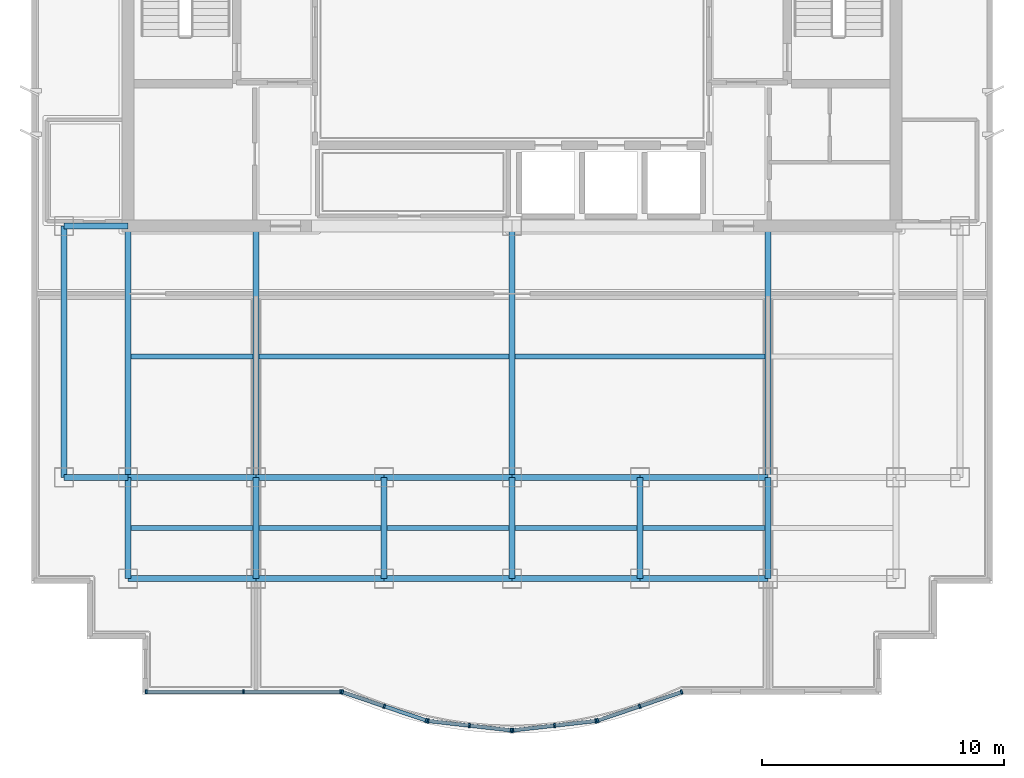
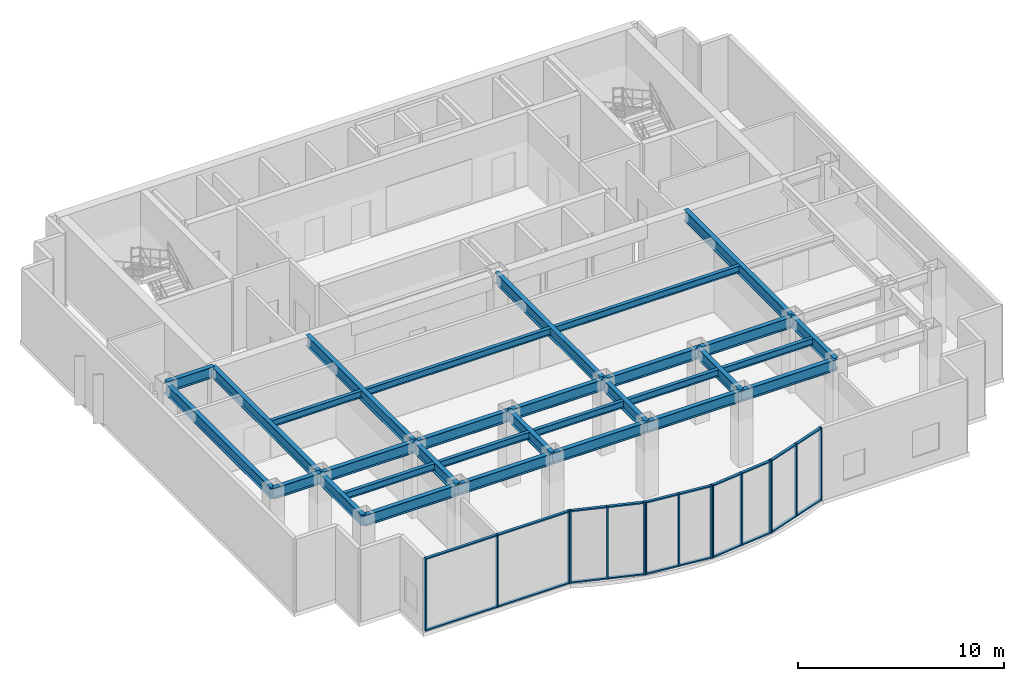
# One storey, part 2 of 8: 35 members, 31 beams, 5 elements without a shape of their own.
"""IFC4 building model written with IfcOpenShell, lengths in metres."""

from ifc_helpers import new_model, si_unit, direction, frame, origin, origin_2d, place, context, subcontext, project, spatial, rectangle, i_section, extrude, source, transform, mapped, material, layer, layer_set, material_profile, profile_set, type_object, element, aggregate, save


model = new_model("IFC4")

# Units and contexts
model_context = context("Model", 3, precision=1e-05, world=origin(), true_north=direction((0.0, 1.0)))
body_context = subcontext(model_context, "Body", "Model", "MODEL_VIEW")
ifc_project = project(units=[si_unit("LENGTHUNIT", "METRE"), si_unit("AREAUNIT", "SQUARE_METRE"), si_unit("VOLUMEUNIT", "CUBIC_METRE"), si_unit("PLANEANGLEUNIT", "RADIAN"), si_unit("MASSUNIT", "GRAM", prefix="KILO")], contexts=[model_context])

# Site, building, storey
site_placement = place(None, origin())
site = spatial("IfcSite", under=ifc_project, at=site_placement, CompositionType="ELEMENT")
building_placement = place(site_placement, origin())
building = spatial("IfcBuilding", under=site, at=building_placement, Name="Qianlan Lanfeng Residences", CompositionType="ELEMENT")
storey_placement = place(building_placement, frame((0.0, 0.0, 192.199951171875)))
storey = spatial("IfcBuildingStorey", under=building, at=storey_placement, Name="L52", CompositionType="ELEMENT", Elevation=192.199951171875)

# Beams
ifc_material_1 = material(Name="Steel SN490B", Category="steel")
ifc_material_profile_1 = material_profile(ifc_material_1, i_section(OverallWidth=0.25, OverallDepth=0.64990234375, WebThickness=0.012939453125, FlangeThickness=0.02197265625, at=origin_2d()), Name="H 650x250x13x22")
ifc_profile_set_1 = profile_set([ifc_material_profile_1], Name="Steel SN490B")
beam_type_1 = type_object("IfcBeamType", Name="G-650", PredefinedType="BEAM", material=ifc_profile_set_1)
beam_1_placement = place(storey_placement, frame((10.60009765625, 10.60009765625, 3.985107421875), z_axis=(1.0, 0.0, 0.0), x_axis=(0.0, 1.0, 0.0)))
element("IfcBeam", 1, at=beam_1_placement, inside=storey, type_object=beam_type_1, Name="Structural beam G-650", PredefinedType="BEAM", context=body_context, shape_type="SweptSolid", body=[
    extrude(i_section(OverallWidth=0.25, OverallDepth=0.64990234375, WebThickness=0.012939453125, FlangeThickness=0.02197265625, at=origin_2d()), origin(), (0.0, 0.0, 1.0), 5.2998046875),
])
for number, where, z_axis, x_axis, name in (
    (2, (15.89990234375, 10.60009765625, 3.985107421875), (1.0, 0.0, 0.0), (0.0, 1.0, 0.0), "Structural beam G-650"),
    (3, (21.199951171875, 10.60009765625, 3.985107421875), (1.0, 0.0, 0.0), (0.0, 1.0, 0.0), "Structural beam G-650"),
    (4, (26.5, 10.60009765625, 3.985107421875), (1.0, 0.0, 0.0), (0.0, 1.0, 0.0), "Structural beam G-650"),
    (5, (31.800048828125, 10.60009765625, 3.985107421875), (1.0, 0.0, 0.0), (0.0, 1.0, 0.0), "Structural beam G-650"),
):
    element("IfcBeam", number, at=place(storey_placement, frame(where, z_axis=z_axis, x_axis=x_axis)), inside=storey, type_object=beam_type_1, Name=name, PredefinedType="BEAM", context=body_context, shape_type="SweptSolid", body=[
        extrude(i_section(OverallWidth=0.25, OverallDepth=0.64990234375, WebThickness=0.012939453125, FlangeThickness=0.02197265625, at=origin_2d()), origin(), (0.0, 0.0, 1.0), 5.300048828125),
    ])
beam_2_placement = place(storey_placement, frame((7.949951171875, 14.800048828125, 3.985107421875), z_axis=(1.0, 0.0, 0.0), x_axis=(0.0, 1.0, 0.0)))
element("IfcBeam", 6, at=beam_2_placement, inside=storey, type_object=beam_type_1, Name="Structural beam G-650", PredefinedType="BEAM", context=body_context, shape_type="SweptSolid", body=[
    extrude(i_section(OverallWidth=0.25, OverallDepth=0.64990234375, WebThickness=0.012939453125, FlangeThickness=0.02197265625, at=origin_2d()), origin(), (0.0, 0.0, 1.0), 2.650146484375),
])
beam_3_placement = place(storey_placement, frame((10.60009765625, 14.800048828125, 3.985107421875), z_axis=(1.0, 0.0, 0.0), x_axis=(0.0, 1.0, 0.0)))
element("IfcBeam", 7, at=beam_3_placement, inside=storey, type_object=beam_type_1, Name="Structural beam G-650", PredefinedType="BEAM", context=body_context, shape_type="SweptSolid", body=[
    extrude(i_section(OverallWidth=0.25, OverallDepth=0.64990234375, WebThickness=0.012939453125, FlangeThickness=0.02197265625, at=origin_2d()), origin(), (0.0, 0.0, 1.0), 5.2998046875),
])
for number, where, z_axis, x_axis, name in (
    (8, (15.89990234375, 14.800048828125, 3.985107421875), (1.0, 0.0, 0.0), (0.0, 1.0, 0.0), "Structural beam G-650"),
    (9, (21.199951171875, 14.800048828125, 3.985107421875), (1.0, 0.0, 0.0), (0.0, 1.0, 0.0), "Structural beam G-650"),
    (10, (26.5, 14.800048828125, 3.985107421875), (1.0, 0.0, 0.0), (0.0, 1.0, 0.0), "Structural beam G-650"),
    (11, (31.800048828125, 14.800048828125, 3.985107421875), (1.0, 0.0, 0.0), (0.0, 1.0, 0.0), "Structural beam G-650"),
):
    element("IfcBeam", number, at=place(storey_placement, frame(where, z_axis=z_axis, x_axis=x_axis)), inside=storey, type_object=beam_type_1, Name=name, PredefinedType="BEAM", context=body_context, shape_type="SweptSolid", body=[
        extrude(i_section(OverallWidth=0.25, OverallDepth=0.64990234375, WebThickness=0.012939453125, FlangeThickness=0.02197265625, at=origin_2d()), origin(), (0.0, 0.0, 1.0), 5.300048828125),
    ])
beam_4_placement = place(storey_placement, frame((7.949951171875, 25.199951171875, 3.985107421875), z_axis=(1.0, 0.0, 0.0), x_axis=(0.0, 1.0, 0.0)))
element("IfcBeam", 12, at=beam_4_placement, inside=storey, type_object=beam_type_1, Name="Structural beam G-650", PredefinedType="BEAM", context=body_context, shape_type="SweptSolid", body=[
    extrude(i_section(OverallWidth=0.25, OverallDepth=0.64990234375, WebThickness=0.012939453125, FlangeThickness=0.02197265625, at=origin_2d()), origin(), (0.0, 0.0, 1.0), 2.650146484375),
])
beam_5_placement = place(storey_placement, frame((10.60009765625, 10.60009765625, 3.985107421875), z_axis=(0.0, 1.0, 0.0), x_axis=(-1.0, 0.0, 0.0)))
element("IfcBeam", 13, at=beam_5_placement, inside=storey, type_object=beam_type_1, Name="Structural beam G-650", PredefinedType="BEAM", context=body_context, shape_type="SweptSolid", body=[
    extrude(i_section(OverallWidth=0.25, OverallDepth=0.64990234375, WebThickness=0.012939453125, FlangeThickness=0.02197265625, at=origin_2d()), origin(), (0.0, 0.0, 1.0), 4.199951171875),
])
beam_6_placement = place(storey_placement, frame((10.60009765625, 14.800048828125, 3.985107421875), z_axis=(0.0, 1.0, 0.0), x_axis=(-1.0, 0.0, 0.0)))
element("IfcBeam", 14, at=beam_6_placement, inside=storey, type_object=beam_type_1, Name="Structural beam G-650", PredefinedType="BEAM", context=body_context, shape_type="SweptSolid", body=[
    extrude(i_section(OverallWidth=0.25, OverallDepth=0.64990234375, WebThickness=0.012939453125, FlangeThickness=0.02197265625, at=origin_2d()), origin(), (0.0, 0.0, 1.0), 10.39990234375),
])
beam_7_placement = place(storey_placement, frame((15.89990234375, 10.60009765625, 3.985107421875), z_axis=(0.0, 1.0, 0.0), x_axis=(-1.0, 0.0, 0.0)))
element("IfcBeam", 15, at=beam_7_placement, inside=storey, type_object=beam_type_1, Name="Structural beam G-650", PredefinedType="BEAM", context=body_context, shape_type="SweptSolid", body=[
    extrude(i_section(OverallWidth=0.25, OverallDepth=0.64990234375, WebThickness=0.012939453125, FlangeThickness=0.02197265625, at=origin_2d()), origin(), (0.0, 0.0, 1.0), 4.199951171875),
])
beam_8_placement = place(storey_placement, frame((15.89990234375, 14.800048828125, 3.985107421875), z_axis=(0.0, 1.0, 0.0), x_axis=(-1.0, 0.0, 0.0)))
element("IfcBeam", 16, at=beam_8_placement, inside=storey, type_object=beam_type_1, Name="Structural beam G-650", PredefinedType="BEAM", context=body_context, shape_type="SweptSolid", body=[
    extrude(i_section(OverallWidth=0.25, OverallDepth=0.64990234375, WebThickness=0.012939453125, FlangeThickness=0.02197265625, at=origin_2d()), origin(), (0.0, 0.0, 1.0), 10.39990234375),
])
for number, where, z_axis, x_axis, name in (
    (17, (21.199951171875, 10.60009765625, 3.985107421875), (0.0, 1.0, 0.0), (-1.0, 0.0, 0.0), "Structural beam G-650"),
    (18, (26.5, 10.60009765625, 3.985107421875), (0.0, 1.0, 0.0), (-1.0, 0.0, 0.0), "Structural beam G-650"),
):
    element("IfcBeam", number, at=place(storey_placement, frame(where, z_axis=z_axis, x_axis=x_axis)), inside=storey, type_object=beam_type_1, Name=name, PredefinedType="BEAM", context=body_context, shape_type="SweptSolid", body=[
        extrude(i_section(OverallWidth=0.25, OverallDepth=0.64990234375, WebThickness=0.012939453125, FlangeThickness=0.02197265625, at=origin_2d()), origin(), (0.0, 0.0, 1.0), 4.199951171875),
    ])
beam_9_placement = place(storey_placement, frame((26.5, 14.800048828125, 3.985107421875), z_axis=(0.0, 1.0, 0.0), x_axis=(-1.0, 0.0, 0.0)))
element("IfcBeam", 19, at=beam_9_placement, inside=storey, type_object=beam_type_1, Name="Structural beam G-650", PredefinedType="BEAM", context=body_context, shape_type="SweptSolid", body=[
    extrude(i_section(OverallWidth=0.25, OverallDepth=0.64990234375, WebThickness=0.012939453125, FlangeThickness=0.02197265625, at=origin_2d()), origin(), (0.0, 0.0, 1.0), 10.39990234375),
])
for number, where, z_axis, x_axis, name in (
    (20, (31.800048828125, 10.60009765625, 3.985107421875), (0.0, 1.0, 0.0), (-1.0, 0.0, 0.0), "Structural beam G-650"),
    (21, (37.10009765625, 10.60009765625, 3.985107421875), (0.0, 1.0, 0.0), (-1.0, 0.0, 0.0), "Structural beam G-650"),
):
    element("IfcBeam", number, at=place(storey_placement, frame(where, z_axis=z_axis, x_axis=x_axis)), inside=storey, type_object=beam_type_1, Name=name, PredefinedType="BEAM", context=body_context, shape_type="SweptSolid", body=[
        extrude(i_section(OverallWidth=0.25, OverallDepth=0.64990234375, WebThickness=0.012939453125, FlangeThickness=0.02197265625, at=origin_2d()), origin(), (0.0, 0.0, 1.0), 4.199951171875),
    ])
beam_10_placement = place(storey_placement, frame((37.10009765625, 14.800048828125, 3.985107421875), z_axis=(0.0, 1.0, 0.0), x_axis=(-1.0, 0.0, 0.0)))
element("IfcBeam", 22, at=beam_10_placement, inside=storey, type_object=beam_type_1, Name="Structural beam G-650", PredefinedType="BEAM", context=body_context, shape_type="SweptSolid", body=[
    extrude(i_section(OverallWidth=0.25, OverallDepth=0.64990234375, WebThickness=0.012939453125, FlangeThickness=0.02197265625, at=origin_2d()), origin(), (0.0, 0.0, 1.0), 10.39990234375),
])
ifc_material_profile_2 = material_profile(ifc_material_1, i_section(OverallWidth=0.199951171875, OverallDepth=0.39990234375, WebThickness=0.008056640625, FlangeThickness=0.012939453125, at=origin_2d()), Name="H 400x200x8x13")
ifc_profile_set_2 = profile_set([ifc_material_profile_2], Name="Steel SN490B")
beam_type_2 = type_object("IfcBeamType", Name="J-400", PredefinedType="JOIST", material=ifc_profile_set_2)
beam_11_placement = place(storey_placement, frame((10.72509765625, 12.699951171875, 4.110107421875), z_axis=(1.0, 0.0, 0.0), x_axis=(0.0, 1.0, 0.0)))
element("IfcBeam", 23, at=beam_11_placement, inside=storey, type_object=beam_type_2, Name="Structural beam J-400", PredefinedType="JOIST", context=body_context, shape_type="SweptSolid", body=[
    extrude(i_section(OverallWidth=0.199951171875, OverallDepth=0.39990234375, WebThickness=0.008056640625, FlangeThickness=0.012939453125, at=origin_2d()), origin(), (0.0, 0.0, 1.0), 5.0498046875),
])
for number, where, z_axis, x_axis, name in (
    (24, (16.02490234375, 12.699951171875, 4.110107421875), (1.0, 0.0, 0.0), (0.0, 1.0, 0.0), "Structural beam J-400"),
    (25, (21.324951171875, 12.699951171875, 4.110107421875), (1.0, 0.0, 0.0), (0.0, 1.0, 0.0), "Structural beam J-400"),
    (26, (26.625, 12.699951171875, 4.110107421875), (1.0, 0.0, 0.0), (0.0, 1.0, 0.0), "Structural beam J-400"),
    (27, (31.925048828125, 12.699951171875, 4.110107421875), (1.0, 0.0, 0.0), (0.0, 1.0, 0.0), "Structural beam J-400"),
):
    element("IfcBeam", number, at=place(storey_placement, frame(where, z_axis=z_axis, x_axis=x_axis)), inside=storey, type_object=beam_type_2, Name=name, PredefinedType="JOIST", context=body_context, shape_type="SweptSolid", body=[
        extrude(i_section(OverallWidth=0.199951171875, OverallDepth=0.39990234375, WebThickness=0.008056640625, FlangeThickness=0.012939453125, at=origin_2d()), origin(), (0.0, 0.0, 1.0), 5.050048828125),
    ])
beam_12_placement = place(storey_placement, frame((10.72509765625, 19.800048828125, 4.110107421875), z_axis=(1.0, 0.0, 0.0), x_axis=(0.0, 1.0, 0.0)))
element("IfcBeam", 28, at=beam_12_placement, inside=storey, type_object=beam_type_2, Name="Structural beam J-400", PredefinedType="JOIST", context=body_context, shape_type="SweptSolid", body=[
    extrude(i_section(OverallWidth=0.199951171875, OverallDepth=0.39990234375, WebThickness=0.008056640625, FlangeThickness=0.012939453125, at=origin_2d()), origin(), (0.0, 0.0, 1.0), 5.0498046875),
])
for number, where, z_axis, x_axis, name in (
    (29, (16.02490234375, 19.800048828125, 4.110107421875), (1.0, 0.0, 0.0), (0.0, 1.0, 0.0), "Structural beam J-400"),
    (30, (26.625, 19.800048828125, 4.110107421875), (1.0, 0.0, 0.0), (0.0, 1.0, 0.0), "Structural beam J-400"),
):
    element("IfcBeam", number, at=place(storey_placement, frame(where, z_axis=z_axis, x_axis=x_axis)), inside=storey, type_object=beam_type_2, Name=name, PredefinedType="JOIST", context=body_context, shape_type="SweptSolid", body=[
        extrude(i_section(OverallWidth=0.199951171875, OverallDepth=0.39990234375, WebThickness=0.008056640625, FlangeThickness=0.012939453125, at=origin_2d()), origin(), (0.0, 0.0, 1.0), 10.35009765625),
    ])
ifc_material_profile_3 = material_profile(ifc_material_1, i_section(OverallWidth=0.25, OverallDepth=0.64990234375, WebThickness=0.012939453125, FlangeThickness=0.02197265625, at=origin_2d()), Name="H 650x250x13x22")
ifc_profile_set_3 = profile_set([ifc_material_profile_3], Name="Steel SN490B")
beam_type_3 = type_object("IfcBeamType", Name="SG-650", PredefinedType="SPANDREL", material=ifc_profile_set_3)
beam_13_placement = place(storey_placement, frame((7.949951171875, 14.800048828125, 3.965087890625), z_axis=(0.0, 1.0, 0.0), x_axis=(-1.0, 0.0, 0.0)))
element("IfcBeam", 31, at=beam_13_placement, inside=storey, type_object=beam_type_3, Name="Structural beam SG-650", PredefinedType="SPANDREL", context=body_context, shape_type="SweptSolid", body=[
    extrude(i_section(OverallWidth=0.25, OverallDepth=0.64990234375, WebThickness=0.012939453125, FlangeThickness=0.02197265625, at=origin_2d()), origin(), (0.0, 0.0, 1.0), 10.39990234375),
])

# Curtain wall, members
ifc_material_2 = material(Name="Anodised Bronze Aluminium 6063-T6", Category="aluminium")
ifc_layer = layer(ifc_material_2, 0.219970703125)
ifc_layer_set = layer_set([ifc_layer], Name="Anodised Bronze Aluminium 6063-T6")
curtain_wall_type = type_object("IfcCurtainWallType", Name="CW-05", PredefinedType="NOTDEFINED", material=ifc_layer_set)
curtain_wall_1_placement = place(storey_placement, origin())
curtain_wall_1 = element("IfcCurtainWall", 32, at=curtain_wall_1_placement, inside=storey, type_object=curtain_wall_type, Name="L52 Unitised Curtain Wall CWR-L52-01 (CW-05)", PredefinedType="NOTDEFINED")
ifc_material_profile_4 = material_profile(ifc_material_2, rectangle(XDim=0.074951171875, YDim=0.179931640625, at=origin_2d()), Name="ALU MULLION 75x180")
ifc_profile_set_4 = profile_set([ifc_material_profile_4], Name="Anodised Bronze Aluminium 6063-T6")
member_type_1 = type_object("IfcMemberType", Name="CWM-180", PredefinedType="MULLION", material=ifc_profile_set_4)
shared_shape_1 = source(origin(), body_context, "Body", "SweptSolid", [
    extrude(rectangle(XDim=0.074951171875, YDim=0.179931640625, at=origin_2d()), origin(), (0.0, 0.0, 1.0), 4.31005859375),
])
member_1_placement = place(storey_placement, frame((11.357421875, 5.919921875, 0.0), z_axis=(0.0, 0.0, 1.0), x_axis=(1.0, 0.0, 0.0)))
member_1 = element("IfcMember", 33, at=member_1_placement, type_object=member_type_1, Name="CWR-L52-01 Mullion 1", PredefinedType="MULLION", context=body_context, shape_type="MappedRepresentation", body=[
    mapped(shared_shape_1, transform((0.0, 0.0, 0.0), scale=1.0)),
])
member_2_placement = place(storey_placement, frame((15.382080078125, 5.919921875, 0.0), z_axis=(0.0, 0.0, 1.0), x_axis=(1.0, 0.0, 0.0)))
member_2 = element("IfcMember", 34, at=member_2_placement, type_object=member_type_1, Name="CWR-L52-01 Mullion 2", PredefinedType="MULLION", context=body_context, shape_type="MappedRepresentation", body=[
    mapped(shared_shape_1, transform((0.0, 0.0, 0.0), scale=1.0)),
])
member_3_placement = place(storey_placement, frame((19.406494140625, 5.919921875, 0.0), z_axis=(0.0, 0.0, 1.0), x_axis=(1.0, 0.0, 0.0)))
member_3 = element("IfcMember", 35, at=member_3_placement, type_object=member_type_1, Name="CWR-L52-01 Mullion 3", PredefinedType="MULLION", context=body_context, shape_type="MappedRepresentation", body=[
    mapped(shared_shape_1, transform((0.0, 0.0, 0.0), scale=1.0)),
])

curtain_wall_2_placement = place(storey_placement, origin())
curtain_wall_2 = element("IfcCurtainWall", 36, at=curtain_wall_2_placement, inside=storey, type_object=curtain_wall_type, Name="L52 Unitised Curtain Wall CWR-L52-02 (CW-05)", PredefinedType="NOTDEFINED")
member_4_placement = place(storey_placement, frame((19.4794921875, 5.907958984375, 0.0), z_axis=(0.0, 0.0, 1.0), x_axis=(0.946876819797, -0.321596467845, 0.0)))
member_4 = element("IfcMember", 37, at=member_4_placement, type_object=member_type_1, Name="CWR-L52-02 Mullion 1", PredefinedType="MULLION", context=body_context, shape_type="MappedRepresentation", body=[
    mapped(shared_shape_1, transform((0.0, 0.0, 0.0), scale=1.0)),
])
member_5_placement = place(storey_placement, frame((21.215087890625, 5.318603515625, 0.0), z_axis=(0.0, 0.0, 1.0), x_axis=(0.946876819797, -0.321596467845, 0.0)))
member_5 = element("IfcMember", 38, at=member_5_placement, type_object=member_type_1, Name="CWR-L52-02 Mullion 2", PredefinedType="MULLION", context=body_context, shape_type="MappedRepresentation", body=[
    mapped(shared_shape_1, transform((0.0, 0.0, 0.0), scale=1.0)),
])
member_6_placement = place(storey_placement, frame((22.950439453125, 4.72900390625, 0.0), z_axis=(0.0, 0.0, 1.0), x_axis=(0.946876819797, -0.321596467845, 0.0)))
member_6 = element("IfcMember", 39, at=member_6_placement, type_object=member_type_1, Name="CWR-L52-02 Mullion 3", PredefinedType="MULLION", context=body_context, shape_type="MappedRepresentation", body=[
    mapped(shared_shape_1, transform((0.0, 0.0, 0.0), scale=1.0)),
])

curtain_wall_3_placement = place(storey_placement, origin())
curtain_wall_3 = element("IfcCurtainWall", 40, at=curtain_wall_3_placement, inside=storey, type_object=curtain_wall_type, Name="L52 Unitised Curtain Wall CWR-L52-03 (CW-05)", PredefinedType="NOTDEFINED")
member_7_placement = place(storey_placement, frame((23.023193359375, 4.712890625, 0.0), z_axis=(0.0, 0.0, 1.0), x_axis=(0.993678497778, -0.112263275625, 0.0)))
member_7 = element("IfcMember", 41, at=member_7_placement, type_object=member_type_1, Name="CWR-L52-03 Mullion 1", PredefinedType="MULLION", context=body_context, shape_type="MappedRepresentation", body=[
    mapped(shared_shape_1, transform((0.0, 0.0, 0.0), scale=1.0)),
])
member_8_placement = place(storey_placement, frame((24.742919921875, 4.5185546875, 0.0), z_axis=(0.0, 0.0, 1.0), x_axis=(0.993678497778, -0.112263275625, 0.0)))
member_8 = element("IfcMember", 42, at=member_8_placement, type_object=member_type_1, Name="CWR-L52-03 Mullion 2", PredefinedType="MULLION", context=body_context, shape_type="MappedRepresentation", body=[
    mapped(shared_shape_1, transform((0.0, 0.0, 0.0), scale=1.0)),
])
member_9_placement = place(storey_placement, frame((26.462890625, 4.32421875, 0.0), z_axis=(0.0, 0.0, 1.0), x_axis=(0.993678497778, -0.112263275625, 0.0)))
member_9 = element("IfcMember", 43, at=member_9_placement, type_object=member_type_1, Name="CWR-L52-03 Mullion 3", PredefinedType="MULLION", context=body_context, shape_type="MappedRepresentation", body=[
    mapped(shared_shape_1, transform((0.0, 0.0, 0.0), scale=1.0)),
])

curtain_wall_4_placement = place(storey_placement, origin())
curtain_wall_4 = element("IfcCurtainWall", 44, at=curtain_wall_4_placement, inside=storey, type_object=curtain_wall_type, Name="L52 Unitised Curtain Wall CWR-L52-04 (CW-05)", PredefinedType="NOTDEFINED")
member_10_placement = place(storey_placement, frame((26.537353515625, 4.32421875, 0.0), z_axis=(0.0, 0.0, 1.0), x_axis=(0.993678497778, 0.112263275625, 0.0)))
member_10 = element("IfcMember", 45, at=member_10_placement, type_object=member_type_1, Name="CWR-L52-04 Mullion 1", PredefinedType="MULLION", context=body_context, shape_type="MappedRepresentation", body=[
    mapped(shared_shape_1, transform((0.0, 0.0, 0.0), scale=1.0)),
])
member_11_placement = place(storey_placement, frame((28.257080078125, 4.5185546875, 0.0), z_axis=(0.0, 0.0, 1.0), x_axis=(0.993678497778, 0.112263275625, 0.0)))
member_11 = element("IfcMember", 46, at=member_11_placement, type_object=member_type_1, Name="CWR-L52-04 Mullion 2", PredefinedType="MULLION", context=body_context, shape_type="MappedRepresentation", body=[
    mapped(shared_shape_1, transform((0.0, 0.0, 0.0), scale=1.0)),
])
member_12_placement = place(storey_placement, frame((29.976806640625, 4.712890625, 0.0), z_axis=(0.0, 0.0, 1.0), x_axis=(0.993678497778, 0.112263275625, 0.0)))
member_12 = element("IfcMember", 47, at=member_12_placement, type_object=member_type_1, Name="CWR-L52-04 Mullion 3", PredefinedType="MULLION", context=body_context, shape_type="MappedRepresentation", body=[
    mapped(shared_shape_1, transform((0.0, 0.0, 0.0), scale=1.0)),
])

curtain_wall_5_placement = place(storey_placement, origin())
curtain_wall_5 = element("IfcCurtainWall", 48, at=curtain_wall_5_placement, inside=storey, type_object=curtain_wall_type, Name="L52 Unitised Curtain Wall CWR-L52-05 (CW-05)", PredefinedType="NOTDEFINED")
member_13_placement = place(storey_placement, frame((30.049560546875, 4.72900390625, 0.0), z_axis=(0.0, 0.0, 1.0), x_axis=(0.946876819797, 0.321596467845, 0.0)))
member_13 = element("IfcMember", 49, at=member_13_placement, type_object=member_type_1, Name="CWR-L52-05 Mullion 1", PredefinedType="MULLION", context=body_context, shape_type="MappedRepresentation", body=[
    mapped(shared_shape_1, transform((0.0, 0.0, 0.0), scale=1.0)),
])
member_14_placement = place(storey_placement, frame((31.784912109375, 5.318603515625, 0.0), z_axis=(0.0, 0.0, 1.0), x_axis=(0.946876819797, 0.321596467845, 0.0)))
member_14 = element("IfcMember", 50, at=member_14_placement, type_object=member_type_1, Name="CWR-L52-05 Mullion 2", PredefinedType="MULLION", context=body_context, shape_type="MappedRepresentation", body=[
    mapped(shared_shape_1, transform((0.0, 0.0, 0.0), scale=1.0)),
])
member_15_placement = place(storey_placement, frame((33.5205078125, 5.907958984375, 0.0), z_axis=(0.0, 0.0, 1.0), x_axis=(0.946876819797, 0.321596467845, 0.0)))
member_15 = element("IfcMember", 51, at=member_15_placement, type_object=member_type_1, Name="CWR-L52-05 Mullion 3", PredefinedType="MULLION", context=body_context, shape_type="MappedRepresentation", body=[
    mapped(shared_shape_1, transform((0.0, 0.0, 0.0), scale=1.0)),
])

# Member
ifc_material_profile_5 = material_profile(ifc_material_2, rectangle(XDim=0.074951171875, YDim=0.14990234375, at=origin_2d()), Name="ALU TRANSOM 75x150")
ifc_profile_set_5 = profile_set([ifc_material_profile_5], Name="Anodised Bronze Aluminium 6063-T6")
member_type_2 = type_object("IfcMemberType", Name="CWT-150", PredefinedType="USERDEFINED", material=ifc_profile_set_5)
shared_shape_2 = source(origin(), body_context, "Body", "SweptSolid", [
    extrude(rectangle(XDim=0.074951171875, YDim=0.14990234375, at=origin_2d()), origin(), (0.0, 0.0, 1.0), 3.949462890625),
])
member_16_placement = place(storey_placement, frame((11.39501953125, 5.919921875, 0.03759765625), z_axis=(1.0, 0.0, 0.0), x_axis=(0.0, 0.0, 1.0)))
member_16 = element("IfcMember", 52, at=member_16_placement, type_object=member_type_2, Name="CWR-L52-01 Transom 1-BOT", ObjectType="TRANSOM", PredefinedType="USERDEFINED", context=body_context, shape_type="MappedRepresentation", body=[
    mapped(shared_shape_2, transform((0.0, 0.0, 0.0), scale=1.0)),
])

member_17_placement = place(storey_placement, frame((11.39501953125, 5.919921875, 4.2724609375), z_axis=(1.0, 0.0, 0.0), x_axis=(0.0, 0.0, 1.0)))
member_17 = element("IfcMember", 53, at=member_17_placement, type_object=member_type_2, Name="CWR-L52-01 Transom 1-TOP", ObjectType="TRANSOM", PredefinedType="USERDEFINED", context=body_context, shape_type="MappedRepresentation", body=[
    mapped(shared_shape_2, transform((0.0, 0.0, 0.0), scale=1.0)),
])

member_18_placement = place(storey_placement, frame((15.41943359375, 5.919921875, 0.03759765625), z_axis=(1.0, 0.0, 0.0), x_axis=(0.0, 0.0, 1.0)))
member_18 = element("IfcMember", 54, at=member_18_placement, type_object=member_type_2, Name="CWR-L52-01 Transom 2-BOT", ObjectType="TRANSOM", PredefinedType="USERDEFINED", context=body_context, shape_type="MappedRepresentation", body=[
    mapped(shared_shape_2, transform((0.0, 0.0, 0.0), scale=1.0)),
])

member_19_placement = place(storey_placement, frame((15.41943359375, 5.919921875, 4.2724609375), z_axis=(1.0, 0.0, 0.0), x_axis=(0.0, 0.0, 1.0)))
member_19 = element("IfcMember", 55, at=member_19_placement, type_object=member_type_2, Name="CWR-L52-01 Transom 2-TOP", ObjectType="TRANSOM", PredefinedType="USERDEFINED", context=body_context, shape_type="MappedRepresentation", body=[
    mapped(shared_shape_2, transform((0.0, 0.0, 0.0), scale=1.0)),
])

aggregate(curtain_wall_1, [member_1, member_2, member_3, member_16, member_17, member_18, member_19])

shared_shape_3 = source(origin(), body_context, "Body", "SweptSolid", [
    extrude(rectangle(XDim=0.074951171875, YDim=0.14990234375, at=origin_2d()), origin(), (0.0, 0.0, 1.0), 1.758056640625),
])
member_20_placement = place(storey_placement, frame((19.514892578125, 5.89599609375, 0.03759765625), z_axis=(0.946862437727, -0.321638809882, 0.0), x_axis=(0.0, 0.0, 1.0)))
member_20 = element("IfcMember", 56, at=member_20_placement, type_object=member_type_2, Name="CWR-L52-02 Transom 1-BOT", ObjectType="TRANSOM", PredefinedType="USERDEFINED", context=body_context, shape_type="MappedRepresentation", body=[
    mapped(shared_shape_3, transform((0.0, 0.0, 0.0), scale=1.0)),
])

member_21_placement = place(storey_placement, frame((19.514892578125, 5.89599609375, 4.2724609375), z_axis=(0.946862437727, -0.321638809882, 0.0), x_axis=(0.0, 0.0, 1.0)))
member_21 = element("IfcMember", 57, at=member_21_placement, type_object=member_type_2, Name="CWR-L52-02 Transom 1-TOP", ObjectType="TRANSOM", PredefinedType="USERDEFINED", context=body_context, shape_type="MappedRepresentation", body=[
    mapped(shared_shape_3, transform((0.0, 0.0, 0.0), scale=1.0)),
])

member_22_placement = place(storey_placement, frame((31.820556640625, 5.33056640625, 0.03759765625), z_axis=(0.946862437727, 0.321638809882, 0.0), x_axis=(0.0, 0.0, 1.0)))
member_22 = element("IfcMember", 58, at=member_22_placement, type_object=member_type_2, Name="CWR-L52-05 Transom 2-BOT", ObjectType="TRANSOM", PredefinedType="USERDEFINED", context=body_context, shape_type="MappedRepresentation", body=[
    mapped(shared_shape_3, transform((0.0, 0.0, 0.0), scale=1.0)),
])

member_23_placement = place(storey_placement, frame((31.820556640625, 5.33056640625, 4.2724609375), z_axis=(0.946862437727, 0.321638809882, 0.0), x_axis=(0.0, 0.0, 1.0)))
member_23 = element("IfcMember", 59, at=member_23_placement, type_object=member_type_2, Name="CWR-L52-05 Transom 2-TOP", ObjectType="TRANSOM", PredefinedType="USERDEFINED", context=body_context, shape_type="MappedRepresentation", body=[
    mapped(shared_shape_3, transform((0.0, 0.0, 0.0), scale=1.0)),
])

shared_shape_4 = source(origin(), body_context, "Body", "SweptSolid", [
    extrude(rectangle(XDim=0.074951171875, YDim=0.14990234375, at=origin_2d()), origin(), (0.0, 0.0, 1.0), 1.7578125),
])
member_24_placement = place(storey_placement, frame((21.25048828125, 5.306396484375, 0.03759765625), z_axis=(0.946904726058, -0.321514291702, 0.0), x_axis=(0.0, 0.0, 1.0)))
member_24 = element("IfcMember", 60, at=member_24_placement, type_object=member_type_2, Name="CWR-L52-02 Transom 2-BOT", ObjectType="TRANSOM", PredefinedType="USERDEFINED", context=body_context, shape_type="MappedRepresentation", body=[
    mapped(shared_shape_4, transform((0.0, 0.0, 0.0), scale=1.0)),
])

member_25_placement = place(storey_placement, frame((21.25048828125, 5.306396484375, 4.2724609375), z_axis=(0.946904726058, -0.321514291702, 0.0), x_axis=(0.0, 0.0, 1.0)))
member_25 = element("IfcMember", 61, at=member_25_placement, type_object=member_type_2, Name="CWR-L52-02 Transom 2-TOP", ObjectType="TRANSOM", PredefinedType="USERDEFINED", context=body_context, shape_type="MappedRepresentation", body=[
    mapped(shared_shape_4, transform((0.0, 0.0, 0.0), scale=1.0)),
])

aggregate(curtain_wall_2, [member_4, member_5, member_6, member_20, member_21, member_24, member_25])

member_26_placement = place(storey_placement, frame((30.0849609375, 4.7412109375, 0.03759765625), z_axis=(0.946904726058, 0.321514291702, 0.0), x_axis=(0.0, 0.0, 1.0)))
member_26 = element("IfcMember", 62, at=member_26_placement, type_object=member_type_2, Name="CWR-L52-05 Transom 1-BOT", ObjectType="TRANSOM", PredefinedType="USERDEFINED", context=body_context, shape_type="MappedRepresentation", body=[
    mapped(shared_shape_4, transform((0.0, 0.0, 0.0), scale=1.0)),
])

member_27_placement = place(storey_placement, frame((30.0849609375, 4.7412109375, 4.2724609375), z_axis=(0.946904726058, 0.321514291702, 0.0), x_axis=(0.0, 0.0, 1.0)))
member_27 = element("IfcMember", 63, at=member_27_placement, type_object=member_type_2, Name="CWR-L52-05 Transom 1-TOP", ObjectType="TRANSOM", PredefinedType="USERDEFINED", context=body_context, shape_type="MappedRepresentation", body=[
    mapped(shared_shape_4, transform((0.0, 0.0, 0.0), scale=1.0)),
])

aggregate(curtain_wall_5, [member_13, member_14, member_15, member_26, member_27, member_22, member_23])

shared_shape_5 = source(origin(), body_context, "Body", "SweptSolid", [
    extrude(rectangle(XDim=0.074951171875, YDim=0.14990234375, at=origin_2d()), origin(), (0.0, 0.0, 1.0), 1.65576171875),
])
member_28_placement = place(storey_placement, frame((23.060546875, 4.70849609375, 0.03759765625), z_axis=(0.993684337804, -0.112211571608, 0.0), x_axis=(0.0, 0.0, 1.0)))
member_28 = element("IfcMember", 64, at=member_28_placement, type_object=member_type_2, Name="CWR-L52-03 Transom 1-BOT", ObjectType="TRANSOM", PredefinedType="USERDEFINED", context=body_context, shape_type="MappedRepresentation", body=[
    mapped(shared_shape_5, transform((0.0, 0.0, 0.0), scale=1.0)),
])

member_29_placement = place(storey_placement, frame((23.060546875, 4.70849609375, 4.2724609375), z_axis=(0.993684337804, -0.112211571608, 0.0), x_axis=(0.0, 0.0, 1.0)))
member_29 = element("IfcMember", 65, at=member_29_placement, type_object=member_type_2, Name="CWR-L52-03 Transom 1-TOP", ObjectType="TRANSOM", PredefinedType="USERDEFINED", context=body_context, shape_type="MappedRepresentation", body=[
    mapped(shared_shape_5, transform((0.0, 0.0, 0.0), scale=1.0)),
])

member_30_placement = place(storey_placement, frame((24.7802734375, 4.514404296875, 0.03759765625), z_axis=(0.993667885999, -0.112357164139, 0.0), x_axis=(0.0, 0.0, 1.0)))
member_30 = element("IfcMember", 66, at=member_30_placement, type_object=member_type_2, Name="CWR-L52-03 Transom 2-BOT", ObjectType="TRANSOM", PredefinedType="USERDEFINED", context=body_context, shape_type="MappedRepresentation", body=[
    mapped(shared_shape_5, transform((0.0, 0.0, 0.0), scale=1.0)),
])

member_31_placement = place(storey_placement, frame((24.7802734375, 4.514404296875, 4.2724609375), z_axis=(0.993667885999, -0.112357164139, 0.0), x_axis=(0.0, 0.0, 1.0)))
member_31 = element("IfcMember", 67, at=member_31_placement, type_object=member_type_2, Name="CWR-L52-03 Transom 2-TOP", ObjectType="TRANSOM", PredefinedType="USERDEFINED", context=body_context, shape_type="MappedRepresentation", body=[
    mapped(shared_shape_5, transform((0.0, 0.0, 0.0), scale=1.0)),
])

aggregate(curtain_wall_3, [member_7, member_8, member_9, member_28, member_29, member_30, member_31])

member_32_placement = place(storey_placement, frame((26.574462890625, 4.328369140625, 0.03759765625), z_axis=(0.993667885999, 0.112357164139, 0.0), x_axis=(0.0, 0.0, 1.0)))
member_32 = element("IfcMember", 68, at=member_32_placement, type_object=member_type_2, Name="CWR-L52-04 Transom 1-BOT", ObjectType="TRANSOM", PredefinedType="USERDEFINED", context=body_context, shape_type="MappedRepresentation", body=[
    mapped(shared_shape_5, transform((0.0, 0.0, 0.0), scale=1.0)),
])

member_33_placement = place(storey_placement, frame((26.574462890625, 4.328369140625, 4.2724609375), z_axis=(0.993667885999, 0.112357164139, 0.0), x_axis=(0.0, 0.0, 1.0)))
member_33 = element("IfcMember", 69, at=member_33_placement, type_object=member_type_2, Name="CWR-L52-04 Transom 1-TOP", ObjectType="TRANSOM", PredefinedType="USERDEFINED", context=body_context, shape_type="MappedRepresentation", body=[
    mapped(shared_shape_5, transform((0.0, 0.0, 0.0), scale=1.0)),
])

member_34_placement = place(storey_placement, frame((28.294189453125, 4.522705078125, 0.03759765625), z_axis=(0.993684337804, 0.112211571608, 0.0), x_axis=(0.0, 0.0, 1.0)))
member_34 = element("IfcMember", 70, at=member_34_placement, type_object=member_type_2, Name="CWR-L52-04 Transom 2-BOT", ObjectType="TRANSOM", PredefinedType="USERDEFINED", context=body_context, shape_type="MappedRepresentation", body=[
    mapped(shared_shape_5, transform((0.0, 0.0, 0.0), scale=1.0)),
])

member_35_placement = place(storey_placement, frame((28.294189453125, 4.522705078125, 4.2724609375), z_axis=(0.993684337804, 0.112211571608, 0.0), x_axis=(0.0, 0.0, 1.0)))
member_35 = element("IfcMember", 71, at=member_35_placement, type_object=member_type_2, Name="CWR-L52-04 Transom 2-TOP", ObjectType="TRANSOM", PredefinedType="USERDEFINED", context=body_context, shape_type="MappedRepresentation", body=[
    mapped(shared_shape_5, transform((0.0, 0.0, 0.0), scale=1.0)),
])

aggregate(curtain_wall_4, [member_10, member_11, member_12, member_32, member_33, member_34, member_35])

save(model, "model.ifc")
